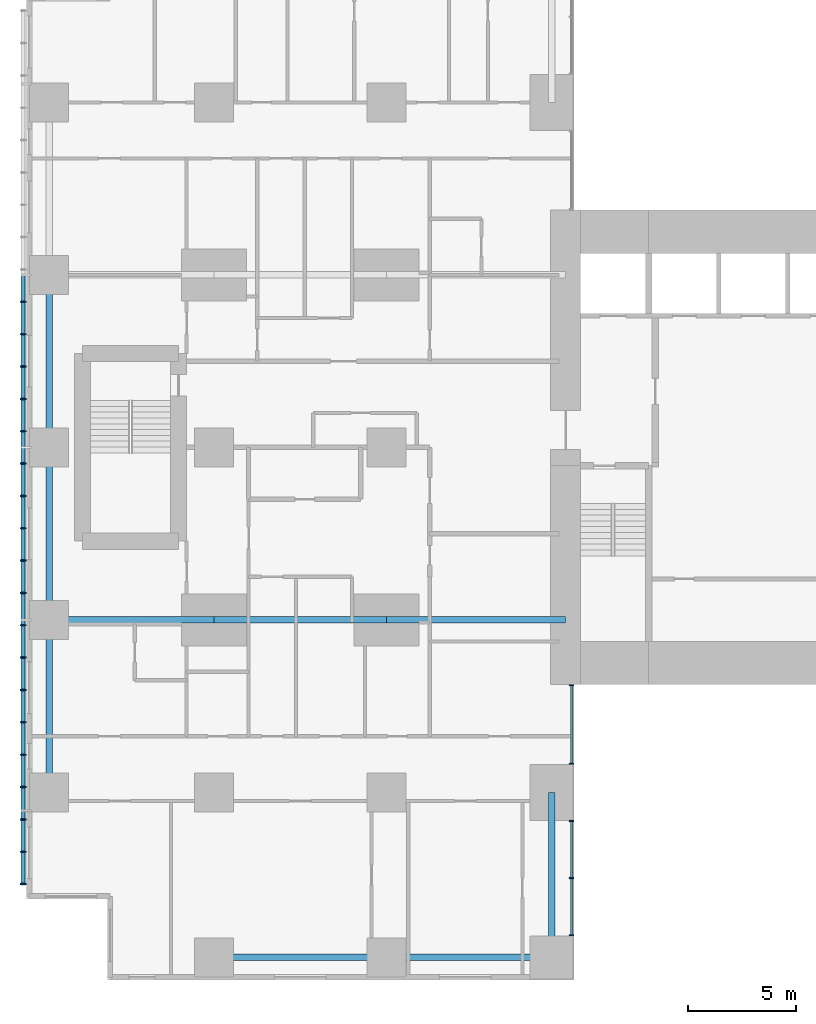
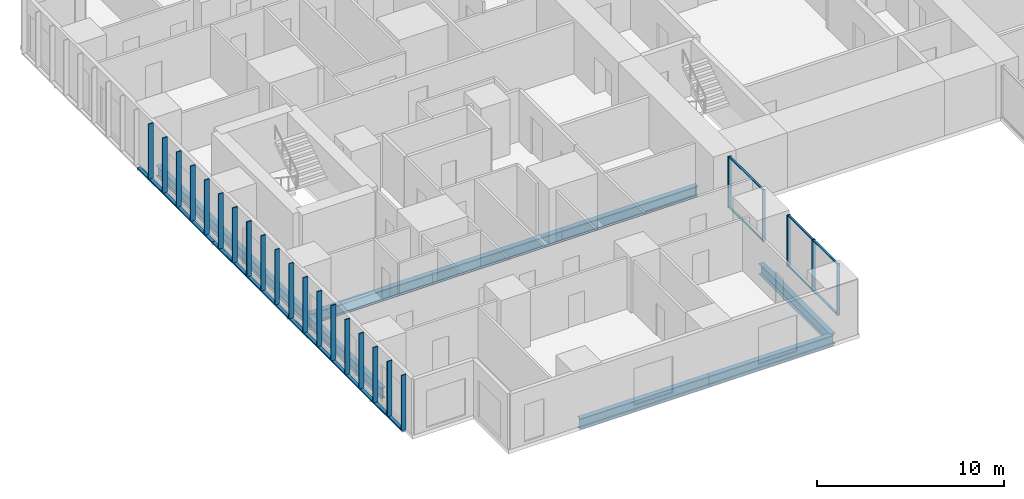
# One storey, part 2 of 20: 33 members, 9 beams, 2 elements without a shape of their own.
"""IFC4 building model written with IfcOpenShell, lengths in metres."""

from ifc_helpers import new_model, si_unit, direction, frame, origin, origin_2d, place, context, subcontext, project, spatial, rectangle, hollow_rectangle, i_section, extrude, material, layer, layer_set, material_profile, profile_set, type_object, element, aggregate, save


model = new_model("IFC4")

# Units and contexts
model_context = context("Model", 3, precision=1e-05, world=origin(), true_north=direction((0.0, 1.0)))
body_context = subcontext(model_context, "Body", "Model", "MODEL_VIEW")
ifc_project = project(units=[si_unit("LENGTHUNIT", "METRE"), si_unit("AREAUNIT", "SQUARE_METRE"), si_unit("VOLUMEUNIT", "CUBIC_METRE"), si_unit("PLANEANGLEUNIT", "RADIAN"), si_unit("MASSUNIT", "GRAM", prefix="KILO")], contexts=[model_context])

# Site, building, storey
site_placement = place(None, origin())
site = spatial("IfcSite", under=ifc_project, at=site_placement, CompositionType="ELEMENT")
building_placement = place(site_placement, origin())
building = spatial("IfcBuilding", under=site, at=building_placement, Name="Cleftline Residences", CompositionType="ELEMENT")
storey_placement = place(building_placement, frame((0.0, 0.0, 189.39990234375)))
storey = spatial("IfcBuildingStorey", under=building, at=storey_placement, Name="L49", CompositionType="ELEMENT", Elevation=189.39990234375)

# Members
ifc_material_1 = material(Name="Steel S355, hot-dip galvanised", Category="steel")
ifc_material_profile_1 = material_profile(ifc_material_1, hollow_rectangle(XDim=0.10009765625, YDim=0.199951171875, WallThickness=0.008056640625, InnerFilletRadius=0.008056640625, OuterFilletRadius=0.011962890625, at=origin_2d()))
ifc_profile_set_1 = profile_set([ifc_material_profile_1], Name="Steel S355, hot-dip galvanised")
member_type_1 = type_object("IfcMemberType", Name="BAGUETTE CARRIER RHS 200X100X8", PredefinedType="USERDEFINED", material=ifc_profile_set_1)
for number, where, z_axis, x_axis, name in (
    (1, (-0.85009765625, 32.0, -0.0498046875), (0.0, -1.0, 0.0), (0.0, 0.0, 1.0), "Baguette carrier"),
    (2, (-0.85009765625, 24.0, -0.0498046875), (0.0, -1.0, 0.0), (0.0, 0.0, 1.0), "Baguette carrier"),
):
    element("IfcMember", number, at=place(storey_placement, frame(where, z_axis=z_axis, x_axis=x_axis)), inside=storey, type_object=member_type_1, Name=name, ObjectType="BAGUETTE CARRIER", PredefinedType="USERDEFINED", context=body_context, shape_type="SweptSolid", body=[
        extrude(hollow_rectangle(XDim=0.10009765625, YDim=0.199951171875, WallThickness=0.008056640625, InnerFilletRadius=0.008056640625, OuterFilletRadius=0.011962890625, at=origin_2d()), origin(), (0.0, 0.0, 1.0), 8.0),
    ])
member_1_placement = place(storey_placement, frame((-0.85009765625, 16.0, -0.0498046875), z_axis=(0.0, -1.0, 0.0), x_axis=(0.0, 0.0, 1.0)))
element("IfcMember", 3, at=member_1_placement, inside=storey, type_object=member_type_1, Name="Baguette carrier", ObjectType="BAGUETTE CARRIER", PredefinedType="USERDEFINED", context=body_context, shape_type="SweptSolid", body=[
    extrude(hollow_rectangle(XDim=0.10009765625, YDim=0.199951171875, WallThickness=0.008056640625, InnerFilletRadius=0.008056640625, OuterFilletRadius=0.011962890625, at=origin_2d()), origin(), (0.0, 0.0, 1.0), 12.300048828125),
])

# Beams
ifc_material_2 = material(Name="Steel S355", Category="steel")
ifc_material_profile_2 = material_profile(ifc_material_2, i_section(OverallWidth=0.300048828125, OverallDepth=0.699951171875, WebThickness=0.01708984375, FlangeThickness=0.031982421875, FilletRadius=0.027099609375, at=origin_2d()))
ifc_profile_set_2 = profile_set([ifc_material_profile_2], Name="Steel S355")
beam_type_1 = type_object("IfcBeamType", Name="BEAM HEB 700", PredefinedType="BEAM", material=ifc_profile_set_2)
for number, where, z_axis, x_axis, name in (
    (4, (0.35009765625, 8.0, -0.599853515625), (0.0, 1.0, 0.0), (-1.0, 0.0, 0.0), "Edge beam"),
    (5, (0.35009765625, 16.0, -0.599853515625), (0.0, 1.0, 0.0), (-1.0, 0.0, 0.0), "Edge beam"),
    (6, (0.35009765625, 24.0, -0.599853515625), (0.0, 1.0, 0.0), (-1.0, 0.0, 0.0), "Edge beam"),
    (7, (8.0, 0.35009765625, -0.599853515625), (1.0, 0.0, 0.0), (0.0, 1.0, 0.0), "Edge beam"),
):
    element("IfcBeam", number, at=place(storey_placement, frame(where, z_axis=z_axis, x_axis=x_axis)), inside=storey, type_object=beam_type_1, Name=name, PredefinedType="BEAM", context=body_context, shape_type="SweptSolid", body=[
        extrude(i_section(OverallWidth=0.300048828125, OverallDepth=0.699951171875, WebThickness=0.01708984375, FlangeThickness=0.031982421875, FilletRadius=0.027099609375, at=origin_2d()), origin(), (0.0, 0.0, 1.0), 8.0),
    ])
for number, where, z_axis, x_axis, name in (
    (8, (16.0, 0.35009765625, -0.599853515625), (1.0, 0.0, 0.0), (0.0, 1.0, 0.0), "Edge beam"),
    (9, (23.64990234375, 0.35009765625, -0.599853515625), (0.0, 1.0, 0.0), (-1.0, 0.0, 0.0), "Edge beam"),
):
    element("IfcBeam", number, at=place(storey_placement, frame(where, z_axis=z_axis, x_axis=x_axis)), inside=storey, type_object=beam_type_1, Name=name, PredefinedType="BEAM", context=body_context, shape_type="SweptSolid", body=[
        extrude(i_section(OverallWidth=0.300048828125, OverallDepth=0.699951171875, WebThickness=0.01708984375, FlangeThickness=0.031982421875, FilletRadius=0.027099609375, at=origin_2d()), origin(), (0.0, 0.0, 1.0), 7.64990234375),
    ])
ifc_material_3 = material(Name="Steel S355", Category="steel")
ifc_material_profile_3 = material_profile(ifc_material_3, i_section(OverallWidth=0.303955078125, OverallDepth=0.716064453125, WebThickness=0.02099609375, FlangeThickness=0.0400390625, FilletRadius=0.027099609375, at=origin_2d()))
ifc_profile_set_3 = profile_set([ifc_material_profile_3], Name="Steel S355")
beam_type_2 = type_object("IfcBeamType", Name="BEAM HEM 700", PredefinedType="BEAM", material=ifc_profile_set_3)
beam_1_placement = place(storey_placement, frame((0.35009765625, 16.0, -0.60791015625), z_axis=(1.0, 0.0, 0.0), x_axis=(0.0, 1.0, 0.0)))
element("IfcBeam", 10, at=beam_1_placement, inside=storey, type_object=beam_type_2, Name="Band beam", PredefinedType="BEAM", context=body_context, shape_type="SweptSolid", body=[
    extrude(i_section(OverallWidth=0.303955078125, OverallDepth=0.716064453125, WebThickness=0.02099609375, FlangeThickness=0.0400390625, FilletRadius=0.027099609375, at=origin_2d()), origin(), (0.0, 0.0, 1.0), 7.64990234375),
])
beam_2_placement = place(storey_placement, frame((8.0, 16.0, -0.60791015625), z_axis=(1.0, 0.0, 0.0), x_axis=(0.0, 1.0, 0.0)))
element("IfcBeam", 11, at=beam_2_placement, inside=storey, type_object=beam_type_2, Name="Band beam", PredefinedType="BEAM", context=body_context, shape_type="SweptSolid", body=[
    extrude(i_section(OverallWidth=0.303955078125, OverallDepth=0.716064453125, WebThickness=0.02099609375, FlangeThickness=0.0400390625, FilletRadius=0.027099609375, at=origin_2d()), origin(), (0.0, 0.0, 1.0), 8.0),
])
beam_3_placement = place(storey_placement, frame((16.0, 16.0, -0.60791015625), z_axis=(1.0, 0.0, 0.0), x_axis=(0.0, 1.0, 0.0)))
element("IfcBeam", 12, at=beam_3_placement, inside=storey, type_object=beam_type_2, Name="Band beam", PredefinedType="BEAM", context=body_context, shape_type="SweptSolid", body=[
    extrude(i_section(OverallWidth=0.303955078125, OverallDepth=0.716064453125, WebThickness=0.02099609375, FlangeThickness=0.0400390625, FilletRadius=0.027099609375, at=origin_2d()), origin(), (0.0, 0.0, 1.0), 8.300048828125),
])

# Curtain wall, members
ifc_material_4 = material(Name="Aluminium framed curtain wall", Category="aluminium")
ifc_layer = layer(ifc_material_4, 0.199951171875)
ifc_layer_set = layer_set([ifc_layer], Name="CW1 CLEFT GLAZING")
curtain_wall_type = type_object("IfcCurtainWallType", Name="CW1 CLEFT GLAZING", PredefinedType="NOTDEFINED", material=ifc_layer_set)
curtain_wall_1_placement = place(storey_placement, origin())
curtain_wall_1 = element("IfcCurtainWall", 13, at=curtain_wall_1_placement, inside=storey, type_object=curtain_wall_type, Name="Curtain wall CW1", PredefinedType="NOTDEFINED")
ifc_material_5 = material(Name="Aluminium mullion", Category="aluminium")
ifc_material_profile_4 = material_profile(ifc_material_5, rectangle(XDim=0.199951171875, YDim=0.06005859375, at=origin_2d()))
ifc_profile_set_4 = profile_set([ifc_material_profile_4], Name="Aluminium mullion")
member_type_2 = type_object("IfcMemberType", Name="CW1 MULLION", PredefinedType="MULLION", material=ifc_profile_set_4)
member_2_placement = place(storey_placement, frame((24.574951171875, 1.3798828125, 0.0), z_axis=(0.0, 0.0, 1.0), x_axis=(-1.0, 0.0, 0.0)))
member_2 = element("IfcMember", 14, at=member_2_placement, type_object=member_type_2, Name="CW1 mullion 1", PredefinedType="MULLION", context=body_context, shape_type="SweptSolid", body=[
    extrude(rectangle(XDim=0.199951171875, YDim=0.06005859375, at=origin_2d()), origin(), (0.0, 0.0, 1.0), 3.35009765625),
])
member_3_placement = place(storey_placement, frame((24.574951171875, 4.02490234375, 0.0), z_axis=(0.0, 0.0, 1.0), x_axis=(-1.0, 0.0, 0.0)))
member_3 = element("IfcMember", 15, at=member_3_placement, type_object=member_type_2, Name="CW1 mullion 2", PredefinedType="MULLION", context=body_context, shape_type="SweptSolid", body=[
    extrude(rectangle(XDim=0.199951171875, YDim=0.06005859375, at=origin_2d()), origin(), (0.0, 0.0, 1.0), 3.35009765625),
])
member_4_placement = place(storey_placement, frame((24.574951171875, 6.669921875, 0.0), z_axis=(0.0, 0.0, 1.0), x_axis=(-1.0, 0.0, 0.0)))
member_4 = element("IfcMember", 16, at=member_4_placement, type_object=member_type_2, Name="CW1 mullion 3", PredefinedType="MULLION", context=body_context, shape_type="SweptSolid", body=[
    extrude(rectangle(XDim=0.199951171875, YDim=0.06005859375, at=origin_2d()), origin(), (0.0, 0.0, 1.0), 3.35009765625),
])

curtain_wall_2_placement = place(storey_placement, origin())
curtain_wall_2 = element("IfcCurtainWall", 17, at=curtain_wall_2_placement, inside=storey, type_object=curtain_wall_type, Name="Curtain wall CW1", PredefinedType="NOTDEFINED")
member_5_placement = place(storey_placement, frame((24.574951171875, 9.330078125, 0.0), z_axis=(0.0, 0.0, 1.0), x_axis=(-1.0, 0.0, 0.0)))
member_5 = element("IfcMember", 18, at=member_5_placement, type_object=member_type_2, Name="CW1 mullion 1", PredefinedType="MULLION", context=body_context, shape_type="SweptSolid", body=[
    extrude(rectangle(XDim=0.199951171875, YDim=0.06005859375, at=origin_2d()), origin(), (0.0, 0.0, 1.0), 3.35009765625),
])
member_6_placement = place(storey_placement, frame((24.574951171875, 12.969970703125, 0.0), z_axis=(0.0, 0.0, 1.0), x_axis=(-1.0, 0.0, 0.0)))
member_6 = element("IfcMember", 19, at=member_6_placement, type_object=member_type_2, Name="CW1 mullion 2", PredefinedType="MULLION", context=body_context, shape_type="SweptSolid", body=[
    extrude(rectangle(XDim=0.199951171875, YDim=0.06005859375, at=origin_2d()), origin(), (0.0, 0.0, 1.0), 3.35009765625),
])

# Member
ifc_material_6 = material(Name="Aluminium transom", Category="aluminium")
ifc_material_profile_5 = material_profile(ifc_material_6, rectangle(XDim=0.1201171875, YDim=0.06005859375, at=origin_2d()))
ifc_profile_set_5 = profile_set([ifc_material_profile_5], Name="Aluminium transom")
member_type_3 = type_object("IfcMemberType", Name="CW1 TRANSOM", PredefinedType="USERDEFINED", material=ifc_profile_set_5)
member_7_placement = place(storey_placement, frame((24.574951171875, 1.409912109375, 0.030029296875), z_axis=(0.0, 1.0, 0.0), x_axis=(-1.0, 0.0, 0.0)))
member_7 = element("IfcMember", 20, at=member_7_placement, type_object=member_type_3, Name="CW1 transom 1.1", ObjectType="TRANSOM", PredefinedType="USERDEFINED", context=body_context, shape_type="SweptSolid", body=[
    extrude(rectangle(XDim=0.1201171875, YDim=0.06005859375, at=origin_2d()), origin(), (0.0, 0.0, 1.0), 2.585205078125),
])

member_8_placement = place(storey_placement, frame((24.574951171875, 1.409912109375, 3.320068359375), z_axis=(0.0, 1.0, 0.0), x_axis=(-1.0, 0.0, 0.0)))
member_8 = element("IfcMember", 21, at=member_8_placement, type_object=member_type_3, Name="CW1 transom 1.2", ObjectType="TRANSOM", PredefinedType="USERDEFINED", context=body_context, shape_type="SweptSolid", body=[
    extrude(rectangle(XDim=0.1201171875, YDim=0.06005859375, at=origin_2d()), origin(), (0.0, 0.0, 1.0), 2.585205078125),
])

member_9_placement = place(storey_placement, frame((24.574951171875, 4.054931640625, 0.030029296875), z_axis=(0.0, 1.0, 0.0), x_axis=(-1.0, 0.0, 0.0)))
member_9 = element("IfcMember", 22, at=member_9_placement, type_object=member_type_3, Name="CW1 transom 2.1", ObjectType="TRANSOM", PredefinedType="USERDEFINED", context=body_context, shape_type="SweptSolid", body=[
    extrude(rectangle(XDim=0.1201171875, YDim=0.06005859375, at=origin_2d()), origin(), (0.0, 0.0, 1.0), 2.5849609375),
])

member_10_placement = place(storey_placement, frame((24.574951171875, 4.054931640625, 3.320068359375), z_axis=(0.0, 1.0, 0.0), x_axis=(-1.0, 0.0, 0.0)))
member_10 = element("IfcMember", 23, at=member_10_placement, type_object=member_type_3, Name="CW1 transom 2.2", ObjectType="TRANSOM", PredefinedType="USERDEFINED", context=body_context, shape_type="SweptSolid", body=[
    extrude(rectangle(XDim=0.1201171875, YDim=0.06005859375, at=origin_2d()), origin(), (0.0, 0.0, 1.0), 2.5849609375),
])

aggregate(curtain_wall_1, [member_2, member_3, member_4, member_7, member_8, member_9, member_10])

member_11_placement = place(storey_placement, frame((24.574951171875, 9.360107421875, 0.030029296875), z_axis=(0.0, 1.0, 0.0), x_axis=(-1.0, 0.0, 0.0)))
member_11 = element("IfcMember", 24, at=member_11_placement, type_object=member_type_3, Name="CW1 transom 1.1", ObjectType="TRANSOM", PredefinedType="USERDEFINED", context=body_context, shape_type="SweptSolid", body=[
    extrude(rectangle(XDim=0.1201171875, YDim=0.06005859375, at=origin_2d()), origin(), (0.0, 0.0, 1.0), 3.579833984375),
])

member_12_placement = place(storey_placement, frame((24.574951171875, 9.360107421875, 3.320068359375), z_axis=(0.0, 1.0, 0.0), x_axis=(-1.0, 0.0, 0.0)))
member_12 = element("IfcMember", 25, at=member_12_placement, type_object=member_type_3, Name="CW1 transom 1.2", ObjectType="TRANSOM", PredefinedType="USERDEFINED", context=body_context, shape_type="SweptSolid", body=[
    extrude(rectangle(XDim=0.1201171875, YDim=0.06005859375, at=origin_2d()), origin(), (0.0, 0.0, 1.0), 3.579833984375),
])

aggregate(curtain_wall_2, [member_5, member_6, member_11, member_12])

# Members
ifc_material_7 = material(Name="Extruded terracotta", Category="masonry")
ifc_material_profile_6 = material_profile(ifc_material_7, rectangle(XDim=0.06005859375, YDim=0.300048828125, at=origin_2d()))
ifc_profile_set_6 = profile_set([ifc_material_profile_6], Name="Extruded terracotta")
member_type_4 = type_object("IfcMemberType", Name="TERRACOTTA BAGUETTE 60X300", PredefinedType="USERDEFINED", material=ifc_profile_set_6)
for number, where, z_axis, x_axis, name in (
    (26, (-0.85009765625, 30.75, 0.0), (0.0, 0.0, 1.0), (0.0, 1.0, 0.0), "Terracotta baguette"),
    (27, (-0.85009765625, 29.25, 0.0), (0.0, 0.0, 1.0), (0.0, 1.0, 0.0), "Terracotta baguette"),
    (28, (-0.85009765625, 27.75, 0.0), (0.0, 0.0, 1.0), (0.0, 1.0, 0.0), "Terracotta baguette"),
    (29, (-0.85009765625, 26.25, 0.0), (0.0, 0.0, 1.0), (0.0, 1.0, 0.0), "Terracotta baguette"),
    (30, (-0.85009765625, 24.75, 0.0), (0.0, 0.0, 1.0), (0.0, 1.0, 0.0), "Terracotta baguette"),
    (31, (-0.85009765625, 23.25, 0.0), (0.0, 0.0, 1.0), (0.0, 1.0, 0.0), "Terracotta baguette"),
    (32, (-0.85009765625, 21.75, 0.0), (0.0, 0.0, 1.0), (0.0, 1.0, 0.0), "Terracotta baguette"),
    (33, (-0.85009765625, 20.25, 0.0), (0.0, 0.0, 1.0), (0.0, 1.0, 0.0), "Terracotta baguette"),
    (34, (-0.85009765625, 18.75, 0.0), (0.0, 0.0, 1.0), (0.0, 1.0, 0.0), "Terracotta baguette"),
    (35, (-0.85009765625, 17.25, 0.0), (0.0, 0.0, 1.0), (0.0, 1.0, 0.0), "Terracotta baguette"),
    (36, (-0.85009765625, 15.75, 0.0), (0.0, 0.0, 1.0), (0.0, 1.0, 0.0), "Terracotta baguette"),
    (37, (-0.85009765625, 14.25, 0.0), (0.0, 0.0, 1.0), (0.0, 1.0, 0.0), "Terracotta baguette"),
    (38, (-0.85009765625, 12.75, 0.0), (0.0, 0.0, 1.0), (0.0, 1.0, 0.0), "Terracotta baguette"),
    (39, (-0.85009765625, 11.25, 0.0), (0.0, 0.0, 1.0), (0.0, 1.0, 0.0), "Terracotta baguette"),
    (40, (-0.85009765625, 9.75, 0.0), (0.0, 0.0, 1.0), (0.0, 1.0, 0.0), "Terracotta baguette"),
    (41, (-0.85009765625, 8.25, 0.0), (0.0, 0.0, 1.0), (0.0, 1.0, 0.0), "Terracotta baguette"),
    (42, (-0.85009765625, 6.75, 0.0), (0.0, 0.0, 1.0), (0.0, 1.0, 0.0), "Terracotta baguette"),
    (43, (-0.85009765625, 5.25, 0.0), (0.0, 0.0, 1.0), (0.0, 1.0, 0.0), "Terracotta baguette"),
    (44, (-0.85009765625, 3.75, 0.0), (0.0, 0.0, 1.0), (0.0, 1.0, 0.0), "Terracotta baguette"),
):
    element("IfcMember", number, at=place(storey_placement, frame(where, z_axis=z_axis, x_axis=x_axis)), inside=storey, type_object=member_type_4, Name=name, ObjectType="BAGUETTE", PredefinedType="USERDEFINED", context=body_context, shape_type="SweptSolid", body=[
        extrude(rectangle(XDim=0.06005859375, YDim=0.300048828125, at=origin_2d()), origin(), (0.0, 0.0, 1.0), 3.60009765625),
    ])

save(model, "model.ifc")
